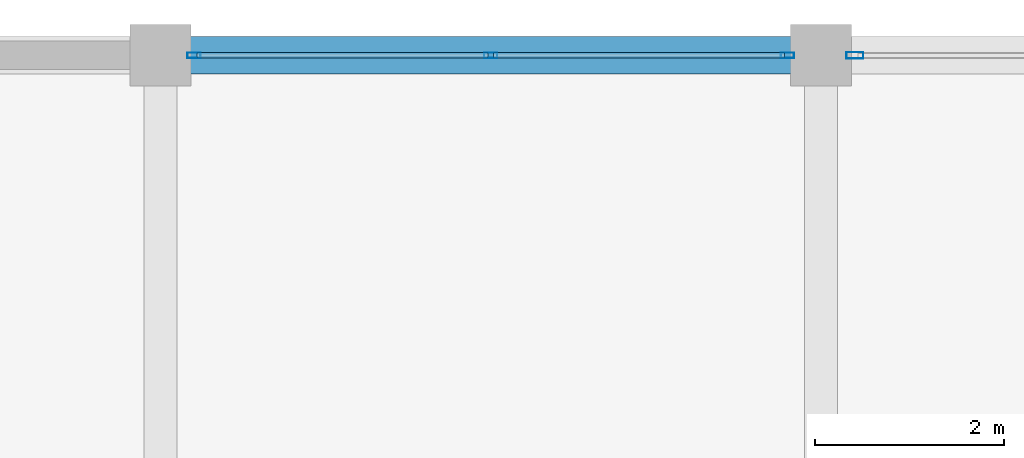
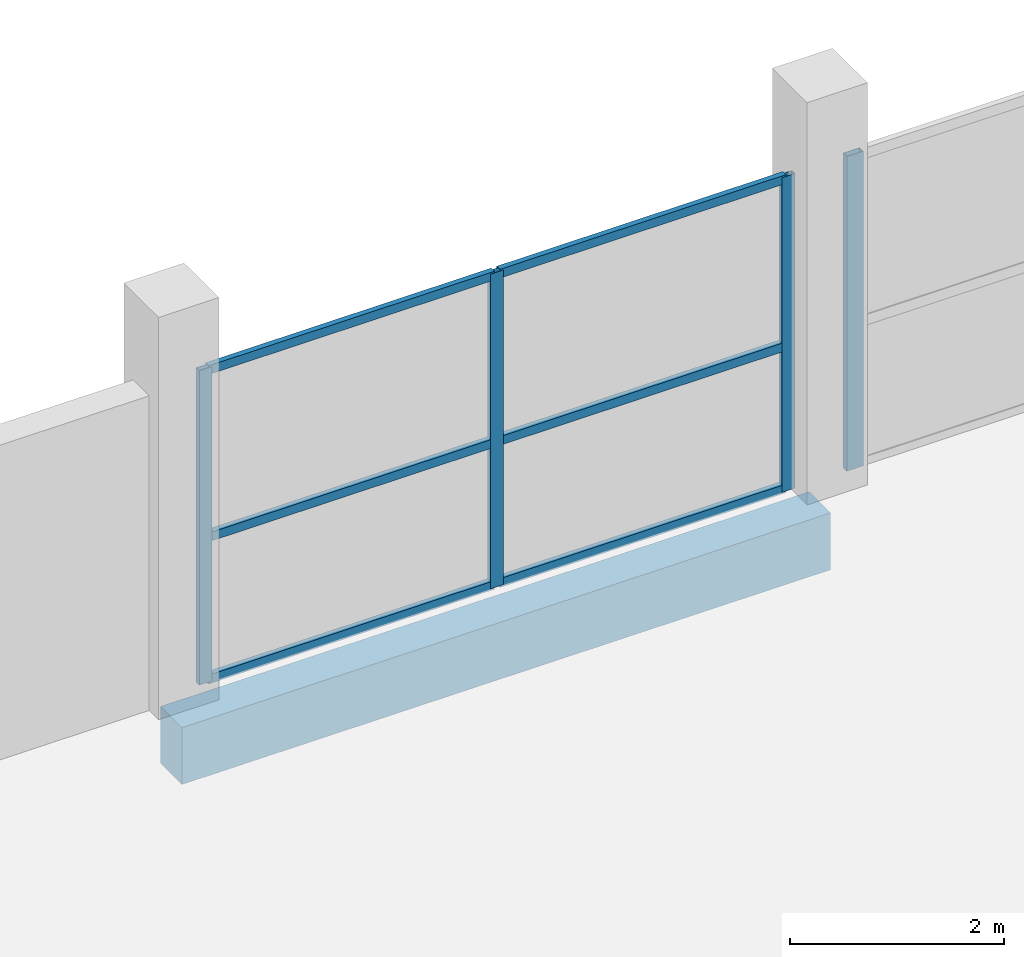
# One storey, part 44 of 69: 10 members, 1 beam, 2 elements without a shape of their own.
"""IFC4 building model written with IfcOpenShell, lengths in metres."""

from ifc_helpers import new_model, si_unit, direction, frame, origin, origin_2d, place, context, subcontext, project, spatial, rectangle, hollow_rectangle, extrude, material, layer, layer_set, material_profile, profile_set, type_object, element, aggregate, save


model = new_model("IFC4")

# Units and contexts
model_context = context("Model", 3, precision=1e-05, world=origin(), true_north=direction((0.0, 1.0)))
body_context = subcontext(model_context, "Body", "Model", "MODEL_VIEW")
ifc_project = project(units=[si_unit("LENGTHUNIT", "METRE"), si_unit("AREAUNIT", "SQUARE_METRE"), si_unit("VOLUMEUNIT", "CUBIC_METRE"), si_unit("PLANEANGLEUNIT", "RADIAN"), si_unit("MASSUNIT", "GRAM", prefix="KILO")], contexts=[model_context])

# Site, building, storey
site_placement = place(None, origin())
site = spatial("IfcSite", under=ifc_project, at=site_placement, CompositionType="ELEMENT")
building_placement = place(site_placement, origin())
building = spatial("IfcBuilding", under=site, at=building_placement, Name="Sillaruma Civic Art Gallery", CompositionType="ELEMENT")
storey_placement = place(building_placement, frame((0.0, 0.0, 42.330078125)))
storey = spatial("IfcBuildingStorey", under=building, at=storey_placement, Name="L08", CompositionType="ELEMENT", Elevation=42.330078125)

# Beam
ifc_material_1 = material(Name="Concrete H35 (35 MPa)", Category="concrete")
ifc_material_profile_1 = material_profile(ifc_material_1, rectangle(XDim=0.39990234375, YDim=0.64990234375, at=origin_2d()), Name="RCB400x650")
ifc_profile_set_1 = profile_set([ifc_material_profile_1], Name="Concrete H35 (35 MPa)")
beam_type = type_object("IfcBeamType", Name="BM-SPANDREL-RCB400x650", PredefinedType="SPANDREL", material=ifc_profile_set_1)
beam_placement = place(storey_placement, frame((70.0, 99.0, -0.60498046875), z_axis=(1.0, 0.0, 0.0), x_axis=(0.0, 1.0, 0.0)))
element("IfcBeam", 1, at=beam_placement, inside=storey, type_object=beam_type, Name="Beam BS-02 (L07:11:G-H)", PredefinedType="SPANDREL", context=body_context, shape_type="SweptSolid", body=[
    extrude(rectangle(XDim=0.39990234375, YDim=0.64990234375, at=origin_2d()), origin(), (0.0, 0.0, 1.0), 7.0),
])

# Curtain wall, members
ifc_material_2 = material(Name="Thermally Broken Extruded Aluminium 6063-T6", Category="aluminium")
ifc_layer_1 = layer(ifc_material_2, 0.139892578125, Name="Thermally Broken Extruded Aluminium 6063-T6")
ifc_layer_set_1 = layer_set([ifc_layer_1], Name="Thermally Broken Extruded Aluminium 6063-T6")
curtain_wall_type_1 = type_object("IfcCurtainWallType", Name="CW-UNI-56", PredefinedType="NOTDEFINED", material=ifc_layer_set_1)
curtain_wall_1_placement = place(storey_placement, origin())
curtain_wall_1 = element("IfcCurtainWall", 2, at=curtain_wall_1_placement, inside=storey, type_object=curtain_wall_type_1, Name="Unitised Curtain Wall CW-56 (CW-L08-WBN-2)", PredefinedType="NOTDEFINED")
ifc_material_profile_2 = material_profile(ifc_material_2, hollow_rectangle(XDim=0.06005859375, YDim=0.139892578125, WallThickness=0.00341796875, at=origin_2d()), Name="CWM60x140")
ifc_profile_set_2 = profile_set([ifc_material_profile_2], Name="Thermally Broken Extruded Aluminium 6063-T6")
member_type_1 = type_object("IfcMemberType", Name="MEM-MUL-CWM60x140", PredefinedType="MULLION", material=ifc_profile_set_2)
member_1_placement = place(storey_placement, frame((70.35498046875, 99.0, 0.0), z_axis=(0.0, 0.0, 1.0), x_axis=(0.0, 1.0, 0.0)))
member_1 = element("IfcMember", 3, at=member_1_placement, type_object=member_type_1, Name="CW-56 mullion 1", PredefinedType="MULLION", context=body_context, shape_type="SweptSolid", body=[
    extrude(hollow_rectangle(XDim=0.06005859375, YDim=0.139892578125, WallThickness=0.00341796875, at=origin_2d()), origin(), (0.0, 0.0, 1.0), 3.58984375),
])
member_2_placement = place(storey_placement, frame((73.5, 99.0, 0.0), z_axis=(0.0, 0.0, 1.0), x_axis=(0.0, 1.0, 0.0)))
member_2 = element("IfcMember", 4, at=member_2_placement, type_object=member_type_1, Name="CW-56 mullion 2", PredefinedType="MULLION", context=body_context, shape_type="SweptSolid", body=[
    extrude(hollow_rectangle(XDim=0.06005859375, YDim=0.139892578125, WallThickness=0.00341796875, at=origin_2d()), origin(), (0.0, 0.0, 1.0), 3.58984375),
])
member_3_placement = place(storey_placement, frame((76.64501953125, 99.0, 0.0), z_axis=(0.0, 0.0, 1.0), x_axis=(0.0, 1.0, 0.0)))
member_3 = element("IfcMember", 5, at=member_3_placement, type_object=member_type_1, Name="CW-56 mullion 3", PredefinedType="MULLION", context=body_context, shape_type="SweptSolid", body=[
    extrude(hollow_rectangle(XDim=0.06005859375, YDim=0.139892578125, WallThickness=0.00341796875, at=origin_2d()), origin(), (0.0, 0.0, 1.0), 3.58984375),
])

# Curtain wall, member
ifc_layer_2 = layer(ifc_material_2, 0.179931640625, Name="Thermally Broken Extruded Aluminium 6063-T6")
ifc_layer_set_2 = layer_set([ifc_layer_2], Name="Thermally Broken Extruded Aluminium 6063-T6")
curtain_wall_type_2 = type_object("IfcCurtainWallType", Name="CW-UNI-57", PredefinedType="NOTDEFINED", material=ifc_layer_set_2)
curtain_wall_2_placement = place(storey_placement, origin())
curtain_wall_2 = element("IfcCurtainWall", 6, at=curtain_wall_2_placement, inside=storey, type_object=curtain_wall_type_2, Name="Unitised Curtain Wall CW-57 (CW-L08-WBN-3)", PredefinedType="NOTDEFINED")
ifc_material_profile_3 = material_profile(ifc_material_2, hollow_rectangle(XDim=0.070068359375, YDim=0.179931640625, WallThickness=0.00390625, at=origin_2d()), Name="CWM70x180")
ifc_profile_set_3 = profile_set([ifc_material_profile_3], Name="Thermally Broken Extruded Aluminium 6063-T6")
member_type_2 = type_object("IfcMemberType", Name="MEM-MUL-CWM70x180", PredefinedType="MULLION", material=ifc_profile_set_3)
member_4_placement = place(storey_placement, frame((77.360107421875, 99.0, 0.0), z_axis=(0.0, 0.0, 1.0), x_axis=(0.0, 1.0, 0.0)))
member_4 = element("IfcMember", 7, at=member_4_placement, type_object=member_type_2, Name="CW-57 mullion 1", PredefinedType="MULLION", context=body_context, shape_type="SweptSolid", body=[
    extrude(hollow_rectangle(XDim=0.070068359375, YDim=0.179931640625, WallThickness=0.00390625, at=origin_2d()), origin(), (0.0, 0.0, 1.0), 3.58984375),
])
aggregate(curtain_wall_2, [member_4])

# Member
ifc_material_profile_4 = material_profile(ifc_material_2, hollow_rectangle(XDim=0.06005859375, YDim=0.10009765625, WallThickness=0.003173828125, at=origin_2d()), Name="CWT60x100")
ifc_profile_set_4 = profile_set([ifc_material_profile_4], Name="Thermally Broken Extruded Aluminium 6063-T6")
member_type_3 = type_object("IfcMemberType", Name="MEM-TRN-CWT60x100", PredefinedType="USERDEFINED", material=ifc_profile_set_4)
member_5_placement = place(storey_placement, frame((70.385009765625, 99.0, 0.030029296875), z_axis=(1.0, 0.0, 0.0), x_axis=(0.0, 1.0, 0.0)))
member_5 = element("IfcMember", 8, at=member_5_placement, type_object=member_type_3, Name="CW-56 transom 1.1", ObjectType="TRANSOM", PredefinedType="USERDEFINED", context=body_context, shape_type="SweptSolid", body=[
    extrude(hollow_rectangle(XDim=0.06005859375, YDim=0.10009765625, WallThickness=0.003173828125, at=origin_2d()), origin(), (0.0, 0.0, 1.0), 3.0849609375),
])

member_6_placement = place(storey_placement, frame((70.385009765625, 99.0, 1.6513671875), z_axis=(1.0, 0.0, 0.0), x_axis=(0.0, 1.0, 0.0)))
member_6 = element("IfcMember", 9, at=member_6_placement, type_object=member_type_3, Name="CW-56 transom 1.2", ObjectType="TRANSOM", PredefinedType="USERDEFINED", context=body_context, shape_type="SweptSolid", body=[
    extrude(hollow_rectangle(XDim=0.06005859375, YDim=0.10009765625, WallThickness=0.003173828125, at=origin_2d()), origin(), (0.0, 0.0, 1.0), 3.0849609375),
])

member_7_placement = place(storey_placement, frame((70.385009765625, 99.0, 3.559814453125), z_axis=(1.0, 0.0, 0.0), x_axis=(0.0, 1.0, 0.0)))
member_7 = element("IfcMember", 10, at=member_7_placement, type_object=member_type_3, Name="CW-56 transom 1.3", ObjectType="TRANSOM", PredefinedType="USERDEFINED", context=body_context, shape_type="SweptSolid", body=[
    extrude(hollow_rectangle(XDim=0.06005859375, YDim=0.10009765625, WallThickness=0.003173828125, at=origin_2d()), origin(), (0.0, 0.0, 1.0), 3.0849609375),
])

member_8_placement = place(storey_placement, frame((73.530029296875, 99.0, 0.030029296875), z_axis=(1.0, 0.0, 0.0), x_axis=(0.0, 1.0, 0.0)))
member_8 = element("IfcMember", 11, at=member_8_placement, type_object=member_type_3, Name="CW-56 transom 2.1", ObjectType="TRANSOM", PredefinedType="USERDEFINED", context=body_context, shape_type="SweptSolid", body=[
    extrude(hollow_rectangle(XDim=0.06005859375, YDim=0.10009765625, WallThickness=0.003173828125, at=origin_2d()), origin(), (0.0, 0.0, 1.0), 3.0849609375),
])

member_9_placement = place(storey_placement, frame((73.530029296875, 99.0, 1.6513671875), z_axis=(1.0, 0.0, 0.0), x_axis=(0.0, 1.0, 0.0)))
member_9 = element("IfcMember", 12, at=member_9_placement, type_object=member_type_3, Name="CW-56 transom 2.2", ObjectType="TRANSOM", PredefinedType="USERDEFINED", context=body_context, shape_type="SweptSolid", body=[
    extrude(hollow_rectangle(XDim=0.06005859375, YDim=0.10009765625, WallThickness=0.003173828125, at=origin_2d()), origin(), (0.0, 0.0, 1.0), 3.0849609375),
])

member_10_placement = place(storey_placement, frame((73.530029296875, 99.0, 3.559814453125), z_axis=(1.0, 0.0, 0.0), x_axis=(0.0, 1.0, 0.0)))
member_10 = element("IfcMember", 13, at=member_10_placement, type_object=member_type_3, Name="CW-56 transom 2.3", ObjectType="TRANSOM", PredefinedType="USERDEFINED", context=body_context, shape_type="SweptSolid", body=[
    extrude(hollow_rectangle(XDim=0.06005859375, YDim=0.10009765625, WallThickness=0.003173828125, at=origin_2d()), origin(), (0.0, 0.0, 1.0), 3.0849609375),
])

aggregate(curtain_wall_1, [member_1, member_2, member_3, member_5, member_6, member_7, member_8, member_9, member_10])

save(model, "model.ifc")
